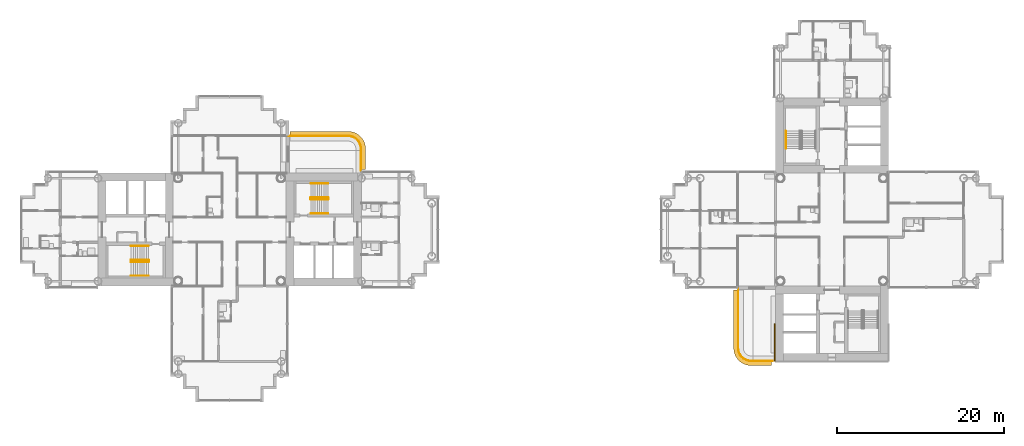
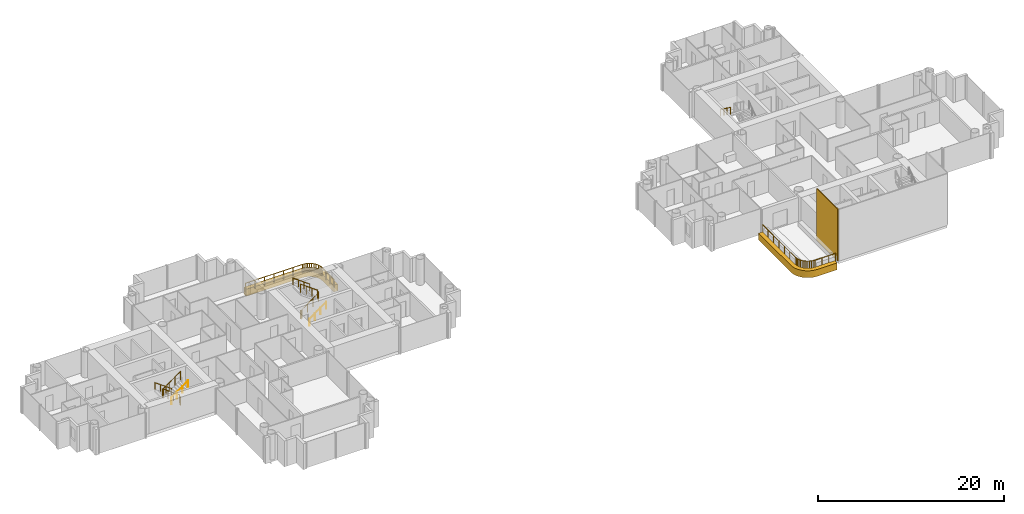
# One storey, part 20 of 22: 9 railings, 3 coverings.
"""IFC4 building model written with IfcOpenShell, lengths in metres."""

from ifc_helpers import new_model, si_unit, direction, frame, origin, origin_2d, place, context, subcontext, project, spatial, polyline, rectangle, circle, outline, extrude, material, layer, layer_set, type_object, element, save


model = new_model("IFC4")

# Units and contexts
model_context = context("Model", 3, precision=1e-05, world=origin(), true_north=direction((0.0, 1.0)))
body_context = subcontext(model_context, "Body", "Model", "MODEL_VIEW")
ifc_project = project(units=[si_unit("LENGTHUNIT", "METRE"), si_unit("AREAUNIT", "SQUARE_METRE"), si_unit("VOLUMEUNIT", "CUBIC_METRE"), si_unit("PLANEANGLEUNIT", "RADIAN"), si_unit("MASSUNIT", "GRAM", prefix="KILO")], contexts=[model_context])

# Site, building, storey
site_placement = place(None, origin())
site = spatial("IfcSite", under=ifc_project, at=site_placement, CompositionType="ELEMENT")
building_placement = place(site_placement, origin())
building = spatial("IfcBuilding", under=site, at=building_placement, Name="Ipe Terrace Towers", CompositionType="ELEMENT")
storey_placement = place(building_placement, frame((0.0, 0.0, 110.60009765625)))
storey = spatial("IfcBuildingStorey", under=building, at=storey_placement, Name="L30", CompositionType="ELEMENT", Elevation=110.60009765625)

# Railings
ifc_material_1 = material(Name="Stainless steel S316", Category="steel")
railing_type_1 = type_object("IfcRailingType", Name="GUARD 1100", PredefinedType="BALUSTRADE", material=ifc_material_1)
railing_1_placement = place(storey_placement, frame((-20.300048828125, 7.070068359375, -0.02001953125)))
element("IfcRailing", 1, at=railing_1_placement, inside=storey, type_object=railing_type_1, Name="guard", PredefinedType="BALUSTRADE", context=body_context, shape_type="SweptSolid", body=[
    extrude(circle(Radius=0.02392578125, at=origin_2d()), frame((0.0, 0.0, 1.076171875), z_axis=(0.0, 1.0, 0.0), x_axis=(-1.0, 0.0, 0.0)), (0.0, 0.0, 1.0), 2.577880859375),
    extrude(circle(Radius=0.02392578125, at=origin_2d()), frame((0.0, 2.577880859375, 1.076171875), z_axis=(-0.063270109204, 0.997996439513, 0.0), x_axis=(-0.997996439513, -0.063270109204, 0.0)), (0.0, 0.0, 1.0), 0.20458984375),
    extrude(circle(Radius=0.02392578125, at=origin_2d()), frame((-0.012939453125, 2.781982421875, 1.076171875), z_axis=(-0.197272615832, 0.980348670139, 0.0), x_axis=(-0.980348670139, -0.197272615832, 0.0)), (0.0, 0.0, 1.0), 0.202880859375),
    extrude(circle(Radius=0.02392578125, at=origin_2d()), frame((-0.052978515625, 2.98095703125, 1.076171875), z_axis=(-0.320562904618, 0.947227229435, 0.0), x_axis=(-0.947227229435, -0.320562904618, 0.0)), (0.0, 0.0, 1.0), 0.20263671875),
    extrude(circle(Radius=0.02392578125, at=origin_2d()), frame((-0.117919921875, 3.1728515625, 1.076171875), z_axis=(-0.443364567466, 0.896341374877, 0.0), x_axis=(-0.896341374877, -0.443364567466, 0.0)), (0.0, 0.0, 1.0), 0.203125),
    extrude(circle(Radius=0.02392578125, at=origin_2d()), frame((-0.2080078125, 3.35498046875, 1.076171875), z_axis=(-0.552753344103, 0.833344910936, 0.0), x_axis=(-0.833344910936, -0.552753344103, 0.0)), (0.0, 0.0, 1.0), 0.20263671875),
    extrude(circle(Radius=0.02392578125, at=origin_2d()), frame((-0.320068359375, 3.52392578125, 1.076171875), z_axis=(-0.660464863827, 0.750856952854, 0.0), x_axis=(-0.750856952854, -0.660464863827, 0.0)), (0.0, 0.0, 1.0), 0.20263671875),
    extrude(circle(Radius=0.02392578125, at=origin_2d()), frame((-0.453857421875, 3.676025390625, 1.076171875), z_axis=(-0.750856952854, 0.660464863827, 0.0), x_axis=(-0.660464863827, -0.750856952854, 0.0)), (0.0, 0.0, 1.0), 0.20263671875),
    extrude(circle(Radius=0.02392578125, at=origin_2d()), frame((-0.60595703125, 3.809814453125, 1.076171875), z_axis=(-0.833344910936, 0.552753344103, 0.0), x_axis=(-0.552753344103, -0.833344910936, 0.0)), (0.0, 0.0, 1.0), 0.20263671875),
    extrude(circle(Radius=0.02392578125, at=origin_2d()), frame((-0.77490234375, 3.921875, 1.076171875), z_axis=(-0.896341374877, 0.443364567466, 0.0), x_axis=(-0.443364567466, -0.896341374877, 0.0)), (0.0, 0.0, 1.0), 0.203125),
    extrude(circle(Radius=0.02392578125, at=origin_2d()), frame((-0.95703125, 4.011962890625, 1.076171875), z_axis=(-0.947227229435, 0.320562904618, 0.0), x_axis=(-0.320562904618, -0.947227229435, 0.0)), (0.0, 0.0, 1.0), 0.20263671875),
    extrude(circle(Radius=0.02392578125, at=origin_2d()), frame((-1.14892578125, 4.076904296875, 1.076171875), z_axis=(-0.980348670139, 0.197272615832, 0.0), x_axis=(-0.197272615832, -0.980348670139, 0.0)), (0.0, 0.0, 1.0), 0.202880859375),
    extrude(circle(Radius=0.02392578125, at=origin_2d()), frame((-1.347900390625, 4.116943359375, 1.076171875), z_axis=(-0.997996439513, 0.063270109204, 0.0), x_axis=(-0.063270109204, -0.997996439513, 0.0)), (0.0, 0.0, 1.0), 0.20458984375),
    extrude(circle(Radius=0.02392578125, at=origin_2d()), frame((-1.552001953125, 4.1298828125, 1.076171875), z_axis=(-1.0, 0.0, 0.0), x_axis=(0.0, -1.0, 0.0)), (0.0, 0.0, 1.0), 7.077880859375),
    extrude(circle(Radius=0.02099609375, at=origin_2d()), origin(), (0.0, 0.0, 1.0), 1.052001953125),
    extrude(circle(Radius=0.02099609375, at=origin_2d()), frame((0.0, 0.859375, 0.0)), (0.0, 0.0, 1.0), 1.052001953125),
    extrude(circle(Radius=0.02099609375, at=origin_2d()), frame((0.0, 1.718505859375, 0.0)), (0.0, 0.0, 1.0), 1.052001953125),
    extrude(circle(Radius=0.02099609375, at=origin_2d()), frame((0.0, 2.577880859375, 0.0)), (0.0, 0.0, 1.0), 1.052001953125),
    extrude(circle(Radius=0.02099609375, at=origin_2d()), frame((-0.012939453125, 2.781982421875, 0.0)), (0.0, 0.0, 1.0), 1.052001953125),
    extrude(circle(Radius=0.02099609375, at=origin_2d()), frame((-0.052978515625, 2.98095703125, 0.0)), (0.0, 0.0, 1.0), 1.052001953125),
    extrude(circle(Radius=0.02099609375, at=origin_2d()), frame((-0.117919921875, 3.1728515625, 0.0)), (0.0, 0.0, 1.0), 1.052001953125),
    extrude(circle(Radius=0.02099609375, at=origin_2d()), frame((-0.2080078125, 3.35498046875, 0.0)), (0.0, 0.0, 1.0), 1.052001953125),
    extrude(circle(Radius=0.02099609375, at=origin_2d()), frame((-0.320068359375, 3.52392578125, 0.0)), (0.0, 0.0, 1.0), 1.052001953125),
    extrude(circle(Radius=0.02099609375, at=origin_2d()), frame((-0.453857421875, 3.676025390625, 0.0)), (0.0, 0.0, 1.0), 1.052001953125),
    extrude(circle(Radius=0.02099609375, at=origin_2d()), frame((-0.60595703125, 3.809814453125, 0.0)), (0.0, 0.0, 1.0), 1.052001953125),
    extrude(circle(Radius=0.02099609375, at=origin_2d()), frame((-0.77490234375, 3.921875, 0.0)), (0.0, 0.0, 1.0), 1.052001953125),
    extrude(circle(Radius=0.02099609375, at=origin_2d()), frame((-0.95703125, 4.011962890625, 0.0)), (0.0, 0.0, 1.0), 1.052001953125),
    extrude(circle(Radius=0.02099609375, at=origin_2d()), frame((-1.14892578125, 4.076904296875, 0.0)), (0.0, 0.0, 1.0), 1.052001953125),
    extrude(circle(Radius=0.02099609375, at=origin_2d()), frame((-1.347900390625, 4.116943359375, 0.0)), (0.0, 0.0, 1.0), 1.052001953125),
    extrude(circle(Radius=0.02099609375, at=origin_2d()), frame((-1.552001953125, 4.1298828125, 0.0)), (0.0, 0.0, 1.0), 1.052001953125),
    extrude(circle(Radius=0.02099609375, at=origin_2d()), frame((-2.731689453125, 4.1298828125, 0.0)), (0.0, 0.0, 1.0), 1.052001953125),
    extrude(circle(Radius=0.02099609375, at=origin_2d()), frame((-3.911376953125, 4.1298828125, 0.0)), (0.0, 0.0, 1.0), 1.052001953125),
    extrude(circle(Radius=0.02099609375, at=origin_2d()), frame((-5.0908203125, 4.1298828125, 0.0)), (0.0, 0.0, 1.0), 1.052001953125),
    extrude(circle(Radius=0.02099609375, at=origin_2d()), frame((-6.2705078125, 4.1298828125, 0.0)), (0.0, 0.0, 1.0), 1.052001953125),
    extrude(circle(Radius=0.02099609375, at=origin_2d()), frame((-7.4501953125, 4.1298828125, 0.0)), (0.0, 0.0, 1.0), 1.052001953125),
    extrude(circle(Radius=0.02099609375, at=origin_2d()), frame((-8.6298828125, 4.1298828125, 0.0)), (0.0, 0.0, 1.0), 1.052001953125),
])
railing_2_placement = place(storey_placement, frame((24.800048828125, -7.070068359375, -0.02001953125)))
element("IfcRailing", 2, at=railing_2_placement, inside=storey, type_object=railing_type_1, Name="guard", PredefinedType="BALUSTRADE", context=body_context, shape_type="SweptSolid", body=[
    extrude(circle(Radius=0.02392578125, at=origin_2d()), frame((0.0, 0.0, 1.076171875), z_axis=(0.0, -1.0, 0.0), x_axis=(1.0, 0.0, 0.0)), (0.0, 0.0, 1.0), 7.077880859375),
    extrude(circle(Radius=0.02392578125, at=origin_2d()), frame((0.0, -7.077880859375, 1.076171875), z_axis=(0.063270109204, -0.997996439513, 0.0), x_axis=(0.997996439513, 0.063270109204, 0.0)), (0.0, 0.0, 1.0), 0.20458984375),
    extrude(circle(Radius=0.02392578125, at=origin_2d()), frame((0.012939453125, -7.281982421875, 1.076171875), z_axis=(0.197272615832, -0.980348670139, 0.0), x_axis=(0.980348670139, 0.197272615832, 0.0)), (0.0, 0.0, 1.0), 0.202880859375),
    extrude(circle(Radius=0.02392578125, at=origin_2d()), frame((0.052978515625, -7.48095703125, 1.076171875), z_axis=(0.320562904618, -0.947227229435, 0.0), x_axis=(0.947227229435, 0.320562904618, 0.0)), (0.0, 0.0, 1.0), 0.20263671875),
    extrude(circle(Radius=0.02392578125, at=origin_2d()), frame((0.117919921875, -7.6728515625, 1.076171875), z_axis=(0.443364567466, -0.896341374877, 0.0), x_axis=(0.896341374877, 0.443364567466, 0.0)), (0.0, 0.0, 1.0), 0.203125),
    extrude(circle(Radius=0.02392578125, at=origin_2d()), frame((0.2080078125, -7.85498046875, 1.076171875), z_axis=(0.552753344103, -0.833344910936, 0.0), x_axis=(0.833344910936, 0.552753344103, 0.0)), (0.0, 0.0, 1.0), 0.20263671875),
    extrude(circle(Radius=0.02392578125, at=origin_2d()), frame((0.320068359375, -8.02392578125, 1.076171875), z_axis=(0.660464863827, -0.750856952854, 0.0), x_axis=(0.750856952854, 0.660464863827, 0.0)), (0.0, 0.0, 1.0), 0.20263671875),
    extrude(circle(Radius=0.02392578125, at=origin_2d()), frame((0.453857421875, -8.176025390625, 1.076171875), z_axis=(0.750856952854, -0.660464863827, 0.0), x_axis=(0.660464863827, 0.750856952854, 0.0)), (0.0, 0.0, 1.0), 0.20263671875),
    extrude(circle(Radius=0.02392578125, at=origin_2d()), frame((0.60595703125, -8.309814453125, 1.076171875), z_axis=(0.833344910936, -0.552753344103, 0.0), x_axis=(0.552753344103, 0.833344910936, 0.0)), (0.0, 0.0, 1.0), 0.20263671875),
    extrude(circle(Radius=0.02392578125, at=origin_2d()), frame((0.77490234375, -8.421875, 1.076171875), z_axis=(0.896341374877, -0.443364567466, 0.0), x_axis=(0.443364567466, 0.896341374877, 0.0)), (0.0, 0.0, 1.0), 0.203125),
    extrude(circle(Radius=0.02392578125, at=origin_2d()), frame((0.95703125, -8.511962890625, 1.076171875), z_axis=(0.947227229435, -0.320562904618, 0.0), x_axis=(0.320562904618, 0.947227229435, 0.0)), (0.0, 0.0, 1.0), 0.20263671875),
    extrude(circle(Radius=0.02392578125, at=origin_2d()), frame((1.14892578125, -8.576904296875, 1.076171875), z_axis=(0.980348670139, -0.197272615832, 0.0), x_axis=(0.197272615832, 0.980348670139, 0.0)), (0.0, 0.0, 1.0), 0.202880859375),
    extrude(circle(Radius=0.02392578125, at=origin_2d()), frame((1.347900390625, -8.616943359375, 1.076171875), z_axis=(0.997996439513, -0.063270109204, 0.0), x_axis=(0.063270109204, 0.997996439513, 0.0)), (0.0, 0.0, 1.0), 0.20458984375),
    extrude(circle(Radius=0.02392578125, at=origin_2d()), frame((1.552001953125, -8.6298828125, 1.076171875), z_axis=(1.0, 0.0, 0.0), x_axis=(0.0, 1.0, 0.0)), (0.0, 0.0, 1.0), 2.577880859375),
    extrude(circle(Radius=0.02099609375, at=origin_2d()), origin(), (0.0, 0.0, 1.0), 1.052001953125),
    extrude(circle(Radius=0.02099609375, at=origin_2d()), frame((0.0, -1.1796875, 0.0)), (0.0, 0.0, 1.0), 1.052001953125),
    extrude(circle(Radius=0.02099609375, at=origin_2d()), frame((0.0, -2.359375, 0.0)), (0.0, 0.0, 1.0), 1.052001953125),
    extrude(circle(Radius=0.02099609375, at=origin_2d()), frame((0.0, -3.5390625, 0.0)), (0.0, 0.0, 1.0), 1.052001953125),
    extrude(circle(Radius=0.02099609375, at=origin_2d()), frame((0.0, -4.718505859375, 0.0)), (0.0, 0.0, 1.0), 1.052001953125),
    extrude(circle(Radius=0.02099609375, at=origin_2d()), frame((0.0, -5.898193359375, 0.0)), (0.0, 0.0, 1.0), 1.052001953125),
    extrude(circle(Radius=0.02099609375, at=origin_2d()), frame((0.0, -7.077880859375, 0.0)), (0.0, 0.0, 1.0), 1.052001953125),
    extrude(circle(Radius=0.02099609375, at=origin_2d()), frame((0.012939453125, -7.281982421875, 0.0)), (0.0, 0.0, 1.0), 1.052001953125),
    extrude(circle(Radius=0.02099609375, at=origin_2d()), frame((0.052978515625, -7.48095703125, 0.0)), (0.0, 0.0, 1.0), 1.052001953125),
    extrude(circle(Radius=0.02099609375, at=origin_2d()), frame((0.117919921875, -7.6728515625, 0.0)), (0.0, 0.0, 1.0), 1.052001953125),
    extrude(circle(Radius=0.02099609375, at=origin_2d()), frame((0.2080078125, -7.85498046875, 0.0)), (0.0, 0.0, 1.0), 1.052001953125),
    extrude(circle(Radius=0.02099609375, at=origin_2d()), frame((0.320068359375, -8.02392578125, 0.0)), (0.0, 0.0, 1.0), 1.052001953125),
    extrude(circle(Radius=0.02099609375, at=origin_2d()), frame((0.453857421875, -8.176025390625, 0.0)), (0.0, 0.0, 1.0), 1.052001953125),
    extrude(circle(Radius=0.02099609375, at=origin_2d()), frame((0.60595703125, -8.309814453125, 0.0)), (0.0, 0.0, 1.0), 1.052001953125),
    extrude(circle(Radius=0.02099609375, at=origin_2d()), frame((0.77490234375, -8.421875, 0.0)), (0.0, 0.0, 1.0), 1.052001953125),
    extrude(circle(Radius=0.02099609375, at=origin_2d()), frame((0.95703125, -8.511962890625, 0.0)), (0.0, 0.0, 1.0), 1.052001953125),
    extrude(circle(Radius=0.02099609375, at=origin_2d()), frame((1.14892578125, -8.576904296875, 0.0)), (0.0, 0.0, 1.0), 1.052001953125),
    extrude(circle(Radius=0.02099609375, at=origin_2d()), frame((1.347900390625, -8.616943359375, 0.0)), (0.0, 0.0, 1.0), 1.052001953125),
    extrude(circle(Radius=0.02099609375, at=origin_2d()), frame((1.552001953125, -8.6298828125, 0.0)), (0.0, 0.0, 1.0), 1.052001953125),
    extrude(circle(Radius=0.02099609375, at=origin_2d()), frame((2.411376953125, -8.6298828125, 0.0)), (0.0, 0.0, 1.0), 1.052001953125),
    extrude(circle(Radius=0.02099609375, at=origin_2d()), frame((3.2705078125, -8.6298828125, 0.0)), (0.0, 0.0, 1.0), 1.052001953125),
    extrude(circle(Radius=0.02099609375, at=origin_2d()), frame((4.1298828125, -8.6298828125, 0.0)), (0.0, 0.0, 1.0), 1.052001953125),
])

# Coverings
ifc_material_2 = material(Name="Concrete C50/60 precast, buff finish", Category="concrete")
ifc_layer_1 = layer(ifc_material_2, 0.1201171875)
ifc_layer_set_1 = layer_set([ifc_layer_1], Name="STONE CORE CLADDING 120")
covering_type_1 = type_object("IfcCoveringType", Name="STONE CORE CLADDING 120", PredefinedType="CLADDING", material=ifc_layer_set_1)
covering_1_placement = place(storey_placement, frame((29.18994140625, -13.5, 0.0), z_axis=(0.0, 0.0, 1.0), x_axis=(0.0, -1.0, 0.0)))
element("IfcCovering", 3, at=covering_1_placement, inside=storey, type_object=covering_type_1, Name="stone core cladding", PredefinedType="CLADDING", context=body_context, shape_type="SweptSolid", body=[
    extrude(rectangle(XDim=4.5, YDim=0.1201171875, at=origin_2d()), origin(), (0.0, 0.0, 1.0), 6.800048828125),
])
ifc_material_3 = material(Name="Concrete C50/60 precast, buff finish", Category="concrete")
ifc_layer_2 = layer(ifc_material_3, 0.5)
ifc_layer_set_2 = layer_set([ifc_layer_2], Name="STONE EDGE BAND 500 x 900")
covering_type_2 = type_object("IfcCoveringType", Name="STONE EDGE BAND 500 x 900", PredefinedType="CLADDING", material=ifc_layer_set_2)
covering_2_placement = place(storey_placement, frame((0.0, 0.0, -0.72021484375)))
element("IfcCovering", 4, at=covering_2_placement, inside=storey, type_object=covering_type_2, Name="stone edge band", PredefinedType="CLADDING", context=body_context, shape_type="SweptSolid", body=[
    extrude(outline(polyline([(-21.85009765625, 11.75), (-28.800048828125, 11.75), (-28.800048828125, 11.25), (-21.85009765625, 11.25), (-21.64111328125, 11.236083984375), (-21.43603515625, 11.195068359375), (-21.238037109375, 11.1279296875), (-21.050048828125, 11.035888671875), (-20.8759765625, 10.9189453125), (-20.718994140625, 10.781005859375), (-20.5810546875, 10.6240234375), (-20.464111328125, 10.449951171875), (-20.3720703125, 10.261962890625), (-20.304931640625, 10.06396484375), (-20.263916015625, 9.85888671875), (-20.25, 9.64990234375), (-20.25, 7.199951171875), (-19.75, 7.199951171875), (-19.75, 9.64990234375), (-19.7509765625, 9.68310546875), (-19.764892578125, 9.89208984375), (-19.77294921875, 9.9560546875), (-19.81396484375, 10.162109375), (-19.8310546875, 10.22509765625), (-19.89794921875, 10.423095703125), (-19.923095703125, 10.48291015625), (-20.01611328125, 10.6708984375), (-20.049072265625, 10.72802734375), (-20.1650390625, 10.902099609375), (-20.205078125, 10.9541015625), (-20.343017578125, 11.111083984375), (-20.388916015625, 11.156982421875), (-20.5458984375, 11.294921875), (-20.597900390625, 11.3349609375), (-20.77197265625, 11.450927734375), (-20.8291015625, 11.48388671875), (-21.01708984375, 11.576904296875), (-21.076904296875, 11.60205078125), (-21.27490234375, 11.6689453125), (-21.337890625, 11.68603515625), (-21.5439453125, 11.72705078125), (-21.60791015625, 11.735107421875), (-21.81689453125, 11.7490234375), (-21.85009765625, 11.75)])), origin(), (0.0, 0.0, 1.0), 0.900146484375),
])
covering_3_placement = place(storey_placement, frame((0.0, 0.0, -0.72021484375)))
element("IfcCovering", 5, at=covering_3_placement, inside=storey, type_object=covering_type_2, Name="stone edge band", PredefinedType="CLADDING", context=body_context, shape_type="SweptSolid", body=[
    extrude(outline(polyline([(24.25, -14.14990234375), (24.2509765625, -14.18310546875), (24.264892578125, -14.39208984375), (24.27294921875, -14.4560546875), (24.31396484375, -14.662109375), (24.3310546875, -14.72509765625), (24.39794921875, -14.923095703125), (24.423095703125, -14.98291015625), (24.51611328125, -15.1708984375), (24.549072265625, -15.22802734375), (24.6650390625, -15.402099609375), (24.705078125, -15.4541015625), (24.843017578125, -15.611083984375), (24.888916015625, -15.656982421875), (25.0458984375, -15.794921875), (25.097900390625, -15.8349609375), (25.27197265625, -15.950927734375), (25.3291015625, -15.98388671875), (25.51708984375, -16.076904296875), (25.576904296875, -16.10205078125), (25.77490234375, -16.1689453125), (25.837890625, -16.18603515625), (26.0439453125, -16.22705078125), (26.10791015625, -16.235107421875), (26.31689453125, -16.2490234375), (26.35009765625, -16.25), (28.800048828125, -16.25), (28.800048828125, -15.75), (26.35009765625, -15.75), (26.14111328125, -15.736083984375), (25.93603515625, -15.695068359375), (25.738037109375, -15.6279296875), (25.550048828125, -15.535888671875), (25.3759765625, -15.4189453125), (25.218994140625, -15.281005859375), (25.0810546875, -15.1240234375), (24.964111328125, -14.949951171875), (24.8720703125, -14.761962890625), (24.804931640625, -14.56396484375), (24.763916015625, -14.35888671875), (24.75, -14.14990234375), (24.75, -7.199951171875), (24.25, -7.199951171875), (24.25, -14.14990234375)])), origin(), (0.0, 0.0, 1.0), 0.900146484375),
])

# Railings
ifc_material_4 = material(Name="Steel S355", Category="steel")
railing_type_2 = type_object("IfcRailingType", Name="Stair guard 1100", PredefinedType="GUARDRAIL", material=ifc_material_4)
railing_3_placement = place(storey_placement, frame((-26.35009765625, 3.800048828125, 0.0)))
element("IfcRailing", 6, at=railing_3_placement, inside=storey, type_object=railing_type_2, Name="L30 T1-ST1 stair guard 1", PredefinedType="GUARDRAIL", context=body_context, shape_type="SweptSolid", body=[
    extrude(circle(Radius=0.02392578125, at=origin_2d()), frame((0.0, 0.0, 1.076171875), z_axis=(0.0, -1.0, 0.0), x_axis=(1.0, 0.0, 0.0)), (0.0, 0.0, 1.0), 0.150146484375),
    extrude(circle(Radius=0.02392578125, at=origin_2d()), frame((0.0, -0.150146484375, 1.076171875), z_axis=(0.248385422981, -0.247173786771, 0.936594790069), x_axis=(0.705375805398, 0.708833529934, 0.0)), (0.0, 0.0, 1.0), 0.201416015625),
    extrude(circle(Radius=0.02392578125, at=origin_2d()), frame((0.050048828125, -0.199951171875, 1.2646484375), z_axis=(0.809023421508, 0.0, 0.587776406001), x_axis=(0.0, 1.0, 0.0)), (0.0, 0.0, 1.0), 2.571044921875),
    extrude(circle(Radius=0.02392578125, at=origin_2d()), frame((2.130126953125, -0.199951171875, 2.77587890625), z_axis=(0.708833529934, 0.705375805398, 0.0), x_axis=(-0.705375805398, 0.708833529934, 0.0)), (0.0, 0.0, 1.0), 0.070556640625),
    extrude(circle(Radius=0.02392578125, at=origin_2d()), frame((2.18017578125, -0.150146484375, 2.77587890625), z_axis=(0.0, 1.0, 0.0), x_axis=(-1.0, 0.0, 0.0)), (0.0, 0.0, 1.0), 0.150146484375),
    extrude(circle(Radius=0.02392578125, at=origin_2d()), frame((2.18017578125, 0.0, 2.77587890625), z_axis=(-0.248310886586, 0.248310886586, 0.936313733321), x_axis=(-0.707106781187, -0.707106781187, 0.0)), (0.0, 0.0, 1.0), 0.20166015625),
    extrude(circle(Radius=0.02392578125, at=origin_2d()), frame((2.130126953125, 0.050048828125, 2.96484375), z_axis=(-0.809023421508, 0.0, 0.587776406001), x_axis=(0.0, -1.0, 0.0)), (0.0, 0.0, 1.0), 2.571044921875),
    extrude(circle(Radius=0.02099609375, at=origin_2d()), origin(), (0.0, 0.0, 1.0), 1.052001953125),
    extrude(circle(Radius=0.02099609375, at=origin_2d()), frame((0.0, -0.150146484375, 0.0)), (0.0, 0.0, 1.0), 1.052001953125),
    extrude(circle(Radius=0.02099609375, at=origin_2d()), frame((0.050048828125, -0.199951171875, 0.188720703125)), (0.0, 0.0, 1.0), 1.052001953125),
    extrude(circle(Radius=0.02099609375, at=origin_2d()), frame((0.743408203125, -0.199951171875, 0.6923828125)), (0.0, 0.0, 1.0), 1.052001953125),
    extrude(circle(Radius=0.02099609375, at=origin_2d()), frame((1.436767578125, -0.199951171875, 1.1962890625)), (0.0, 0.0, 1.0), 1.052001953125),
    extrude(circle(Radius=0.02099609375, at=origin_2d()), frame((2.130126953125, -0.199951171875, 1.699951171875)), (0.0, 0.0, 1.0), 1.052001953125),
    extrude(circle(Radius=0.02099609375, at=origin_2d()), frame((2.18017578125, -0.150146484375, 1.699951171875)), (0.0, 0.0, 1.0), 1.052001953125),
    extrude(circle(Radius=0.02099609375, at=origin_2d()), frame((2.18017578125, 0.0, 1.699951171875)), (0.0, 0.0, 1.0), 1.052001953125),
    extrude(circle(Radius=0.02099609375, at=origin_2d()), frame((2.130126953125, 0.050048828125, 1.888671875)), (0.0, 0.0, 1.0), 1.052001953125),
    extrude(circle(Radius=0.02099609375, at=origin_2d()), frame((1.436767578125, 0.050048828125, 2.392333984375)), (0.0, 0.0, 1.0), 1.052001953125),
    extrude(circle(Radius=0.02099609375, at=origin_2d()), frame((0.743408203125, 0.050048828125, 2.896240234375)), (0.0, 0.0, 1.0), 1.052001953125),
    extrude(circle(Radius=0.02099609375, at=origin_2d()), frame((0.050048828125, 0.050048828125, 3.39990234375)), (0.0, 0.0, 1.0), 1.052001953125),
])
railing_4_placement = place(storey_placement, frame((-45.64990234375, -3.800048828125, 0.0)))
element("IfcRailing", 7, at=railing_4_placement, inside=storey, type_object=railing_type_2, Name="L30 T1-ST2 stair guard 1", PredefinedType="GUARDRAIL", context=body_context, shape_type="SweptSolid", body=[
    extrude(circle(Radius=0.02392578125, at=origin_2d()), frame((0.0, 0.0, 1.076171875), z_axis=(0.0, 1.0, 0.0), x_axis=(-1.0, 0.0, 0.0)), (0.0, 0.0, 1.0), 0.150146484375),
    extrude(circle(Radius=0.02392578125, at=origin_2d()), frame((0.0, 0.150146484375, 1.076171875), z_axis=(-0.248385422981, 0.247173786771, 0.936594790069), x_axis=(-0.705375805398, -0.708833529934, 0.0)), (0.0, 0.0, 1.0), 0.201416015625),
    extrude(circle(Radius=0.02392578125, at=origin_2d()), frame((-0.050048828125, 0.199951171875, 1.2646484375), z_axis=(-0.809023421508, 0.0, 0.587776406001), x_axis=(0.0, -1.0, 0.0)), (0.0, 0.0, 1.0), 2.571044921875),
    extrude(circle(Radius=0.02392578125, at=origin_2d()), frame((-2.130126953125, 0.199951171875, 2.77587890625), z_axis=(-0.708833529934, -0.705375805398, 0.0), x_axis=(0.705375805398, -0.708833529934, 0.0)), (0.0, 0.0, 1.0), 0.070556640625),
    extrude(circle(Radius=0.02392578125, at=origin_2d()), frame((-2.18017578125, 0.150146484375, 2.77587890625), z_axis=(0.0, -1.0, 0.0), x_axis=(1.0, 0.0, 0.0)), (0.0, 0.0, 1.0), 0.150146484375),
    extrude(circle(Radius=0.02392578125, at=origin_2d()), frame((-2.18017578125, 0.0, 2.77587890625), z_axis=(0.248310886586, -0.248310886586, 0.936313733321), x_axis=(0.707106781187, 0.707106781187, 0.0)), (0.0, 0.0, 1.0), 0.20166015625),
    extrude(circle(Radius=0.02392578125, at=origin_2d()), frame((-2.130126953125, -0.050048828125, 2.96484375), z_axis=(0.809023421508, 0.0, 0.587776406001), x_axis=(0.0, 1.0, 0.0)), (0.0, 0.0, 1.0), 2.571044921875),
    extrude(circle(Radius=0.02099609375, at=origin_2d()), origin(), (0.0, 0.0, 1.0), 1.052001953125),
    extrude(circle(Radius=0.02099609375, at=origin_2d()), frame((0.0, 0.150146484375, 0.0)), (0.0, 0.0, 1.0), 1.052001953125),
    extrude(circle(Radius=0.02099609375, at=origin_2d()), frame((-0.050048828125, 0.199951171875, 0.188720703125)), (0.0, 0.0, 1.0), 1.052001953125),
    extrude(circle(Radius=0.02099609375, at=origin_2d()), frame((-0.743408203125, 0.199951171875, 0.6923828125)), (0.0, 0.0, 1.0), 1.052001953125),
    extrude(circle(Radius=0.02099609375, at=origin_2d()), frame((-1.436767578125, 0.199951171875, 1.1962890625)), (0.0, 0.0, 1.0), 1.052001953125),
    extrude(circle(Radius=0.02099609375, at=origin_2d()), frame((-2.130126953125, 0.199951171875, 1.699951171875)), (0.0, 0.0, 1.0), 1.052001953125),
    extrude(circle(Radius=0.02099609375, at=origin_2d()), frame((-2.18017578125, 0.150146484375, 1.699951171875)), (0.0, 0.0, 1.0), 1.052001953125),
    extrude(circle(Radius=0.02099609375, at=origin_2d()), frame((-2.18017578125, 0.0, 1.699951171875)), (0.0, 0.0, 1.0), 1.052001953125),
    extrude(circle(Radius=0.02099609375, at=origin_2d()), frame((-2.130126953125, -0.050048828125, 1.888671875)), (0.0, 0.0, 1.0), 1.052001953125),
    extrude(circle(Radius=0.02099609375, at=origin_2d()), frame((-1.436767578125, -0.050048828125, 2.392333984375)), (0.0, 0.0, 1.0), 1.052001953125),
    extrude(circle(Radius=0.02099609375, at=origin_2d()), frame((-0.743408203125, -0.050048828125, 2.896240234375)), (0.0, 0.0, 1.0), 1.052001953125),
    extrude(circle(Radius=0.02099609375, at=origin_2d()), frame((-0.050048828125, -0.050048828125, 3.39990234375)), (0.0, 0.0, 1.0), 1.052001953125),
])
ifc_material_5 = material(Name="Stainless steel grade 304", Category="steel")
railing_type_3 = type_object("IfcRailingType", Name="Stair handrail 900", PredefinedType="HANDRAIL", material=ifc_material_5)
railing_5_placement = place(storey_placement, frame((-26.300048828125, 1.949951171875, 0.188720703125)))
element("IfcRailing", 8, at=railing_5_placement, inside=storey, type_object=railing_type_3, Name="L30 T1-ST1 stair handrail 1", PredefinedType="HANDRAIL", context=body_context, shape_type="SweptSolid", body=[
    extrude(circle(Radius=0.02392578125, at=origin_2d()), frame((0.0, 0.0, 0.8759765625), z_axis=(0.809023421508, 0.0, 0.587776406001), x_axis=(0.0, 1.0, 0.0)), (0.0, 0.0, 1.0), 2.571044921875),
    extrude(circle(Radius=0.02099609375, at=origin_2d()), origin(), (0.0, 0.0, 1.0), 0.851806640625),
    extrude(circle(Radius=0.02099609375, at=origin_2d()), frame((0.693359375, 0.0, 0.503662109375)), (0.0, 0.0, 1.0), 0.851806640625),
    extrude(circle(Radius=0.02099609375, at=origin_2d()), frame((1.38671875, 0.0, 1.007568359375)), (0.0, 0.0, 1.0), 0.851806640625),
    extrude(circle(Radius=0.02099609375, at=origin_2d()), frame((2.080078125, 0.0, 1.51123046875)), (0.0, 0.0, 1.0), 0.851806640625),
])
for number, where, name in (
    (9, (-24.219970703125, 5.5, 1.888671875), "L30 T1-ST1 stair handrail 2"),
    (10, (-45.699951171875, -1.949951171875, 0.188720703125), "L30 T1-ST2 stair handrail 1"),
):
    element("IfcRailing", number, at=place(storey_placement, frame(where)), inside=storey, type_object=railing_type_3, Name=name, PredefinedType="HANDRAIL", context=body_context, shape_type="SweptSolid", body=[
        extrude(circle(Radius=0.02392578125, at=origin_2d()), frame((0.0, 0.0, 0.8759765625), z_axis=(-0.809023421508, 0.0, 0.587776406001), x_axis=(0.0, -1.0, 0.0)), (0.0, 0.0, 1.0), 2.571044921875),
        extrude(circle(Radius=0.02099609375, at=origin_2d()), origin(), (0.0, 0.0, 1.0), 0.851806640625),
        extrude(circle(Radius=0.02099609375, at=origin_2d()), frame((-0.693359375, 0.0, 0.503662109375)), (0.0, 0.0, 1.0), 0.851806640625),
        extrude(circle(Radius=0.02099609375, at=origin_2d()), frame((-1.38671875, 0.0, 1.007568359375)), (0.0, 0.0, 1.0), 0.851806640625),
        extrude(circle(Radius=0.02099609375, at=origin_2d()), frame((-2.080078125, 0.0, 1.51123046875)), (0.0, 0.0, 1.0), 0.851806640625),
    ])
railing_6_placement = place(storey_placement, frame((-47.780029296875, -5.5, 1.888671875)))
element("IfcRailing", 11, at=railing_6_placement, inside=storey, type_object=railing_type_3, Name="L30 T1-ST2 stair handrail 2", PredefinedType="HANDRAIL", context=body_context, shape_type="SweptSolid", body=[
    extrude(circle(Radius=0.02392578125, at=origin_2d()), frame((0.0, 0.0, 0.8759765625), z_axis=(0.809023421508, 0.0, 0.587776406001), x_axis=(0.0, 1.0, 0.0)), (0.0, 0.0, 1.0), 2.571044921875),
    extrude(circle(Radius=0.02099609375, at=origin_2d()), origin(), (0.0, 0.0, 1.0), 0.851806640625),
    extrude(circle(Radius=0.02099609375, at=origin_2d()), frame((0.693359375, 0.0, 0.503662109375)), (0.0, 0.0, 1.0), 0.851806640625),
    extrude(circle(Radius=0.02099609375, at=origin_2d()), frame((1.38671875, 0.0, 1.007568359375)), (0.0, 0.0, 1.0), 0.851806640625),
    extrude(circle(Radius=0.02099609375, at=origin_2d()), frame((2.080078125, 0.0, 1.51123046875)), (0.0, 0.0, 1.0), 0.851806640625),
])
railing_7_placement = place(storey_placement, frame((30.5, 11.780029296875, 1.888671875)))
element("IfcRailing", 12, at=railing_7_placement, inside=storey, type_object=railing_type_3, Name="L30 T2-ST1 stair handrail 2", PredefinedType="HANDRAIL", context=body_context, shape_type="SweptSolid", body=[
    extrude(circle(Radius=0.02392578125, at=origin_2d()), frame((0.0, 0.0, 0.8759765625), z_axis=(0.0, -0.809023421508, 0.587776406001), x_axis=(1.0, 0.0, 0.0)), (0.0, 0.0, 1.0), 2.571044921875),
    extrude(circle(Radius=0.02099609375, at=origin_2d()), origin(), (0.0, 0.0, 1.0), 0.851806640625),
    extrude(circle(Radius=0.02099609375, at=origin_2d()), frame((0.0, -0.693359375, 0.503662109375)), (0.0, 0.0, 1.0), 0.851806640625),
    extrude(circle(Radius=0.02099609375, at=origin_2d()), frame((0.0, -1.38671875, 1.007568359375)), (0.0, 0.0, 1.0), 0.851806640625),
    extrude(circle(Radius=0.02099609375, at=origin_2d()), frame((0.0, -2.080078125, 1.51123046875)), (0.0, 0.0, 1.0), 0.851806640625),
])

save(model, "model.ifc")
